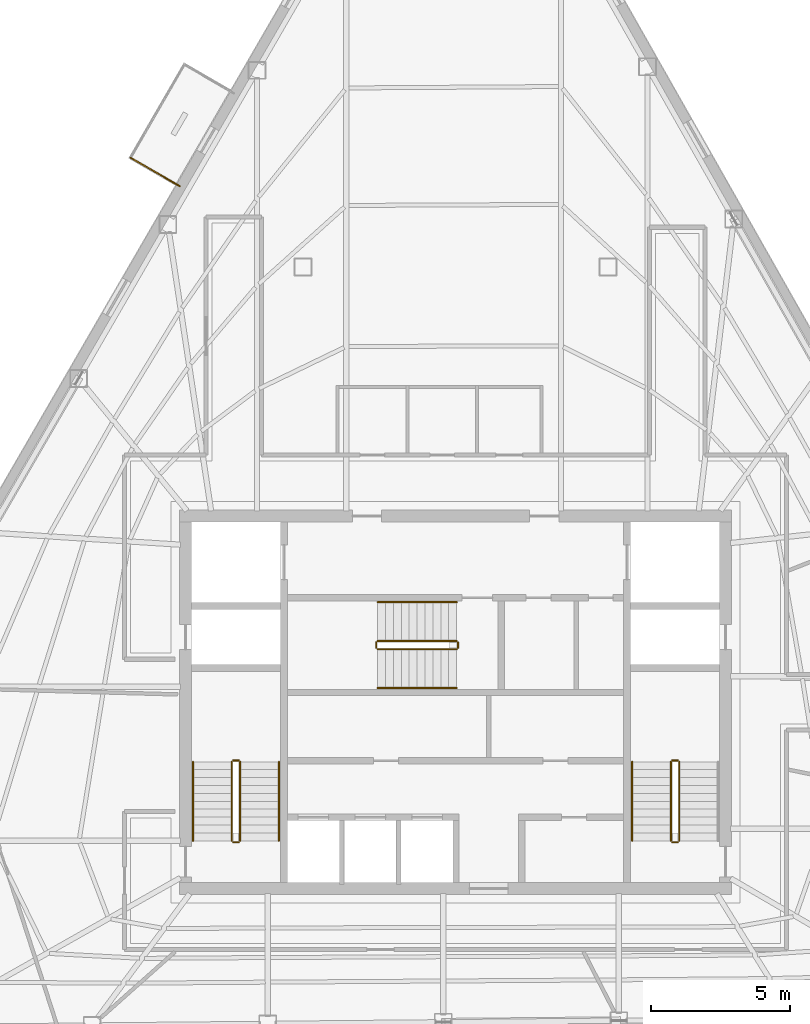
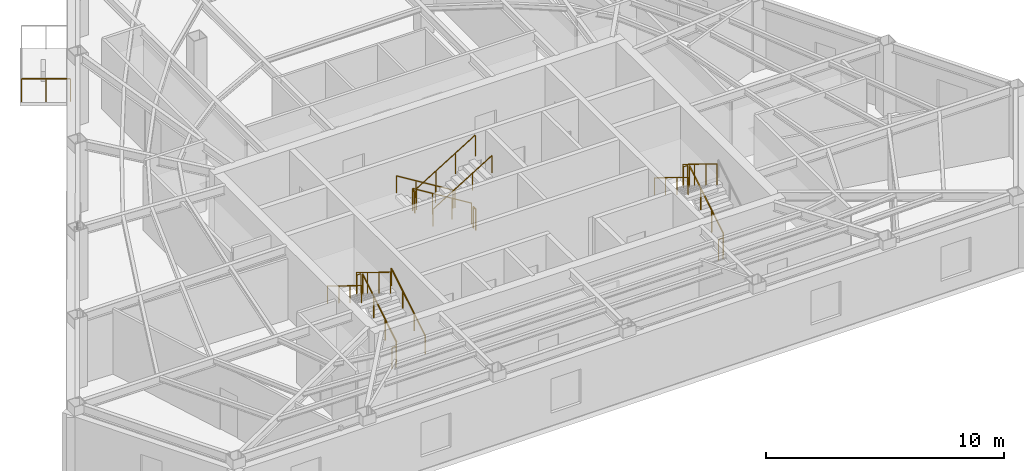
# One storey, part 9 of 10: 18 railings.
"""IFC4 building model written with IfcOpenShell, lengths in metres."""

import ifcopenshell
import ifcopenshell.guid

model = None  # the IFC model being written
_history = None  # IfcOwnerHistory: only IFC2X3 demands one
_inside = {}  # id of a spatial element -> (the spatial element, [elements in it])
_under = {}  # id of a project, library or spatial element -> (it, [spatial elements below it])
_declared = {}  # id of a project -> (the project, [libraries it declares])
_typed = {}  # id of a type object -> (the type object, [elements of that type])
_made_of = {}  # id of a material, layer set ... -> (it, [elements and type objects made of it])


def new_model(schema):
    """Start an empty IFC model of exactly this schema.

    Asked for "IFC4X3", IfcOpenShell would pick the latest addendum, in which some entities
    have other attributes; the version numbers below select the first issue.
    IFC2X3 requires an IfcOwnerHistory on every rooted entity: one is made here for all.
    """
    global model, _history
    if schema == "IFC4X3":
        model = ifcopenshell.file(schema_version=(4, 3, 0, 0))
    else:
        model = ifcopenshell.file(schema=schema)
    _inside.clear()
    _under.clear()
    _declared.clear()
    _typed.clear()
    _made_of.clear()
    _history = None
    if model.schema == "IFC2X3":
        org = make("IfcOrganization", Name="unknown")
        user = make(
            "IfcPersonAndOrganization",
            ThePerson=make("IfcPerson", FamilyName="unknown"),
            TheOrganization=org,
        )
        app = make(
            "IfcApplication",
            ApplicationDeveloper=org,
            Version="unknown",
            ApplicationFullName="unknown",
            ApplicationIdentifier="unknown",
        )
        _history = make(
            "IfcOwnerHistory",
            OwningUser=user,
            OwningApplication=app,
            ChangeAction="ADDED",
            CreationDate=0,
        )
    return model


def make(cls, **values):
    """One entity of the class cls with the attributes given. An attribute that is None is left unset."""
    return model.create_entity(
        cls, **{name: value for name, value in values.items() if value is not None}
    )


def rooted(cls, **values):
    """An entity with a GlobalId (a new one), such as an element, a storey or a relation."""
    return make(cls, GlobalId=ifcopenshell.guid.new(), OwnerHistory=_history, **values)


def si_unit(unit_type, name, prefix=None):
    """IfcSIUnit, for example si_unit("LENGTHUNIT", "METRE", prefix="MILLI")."""
    return make("IfcSIUnit", UnitType=unit_type, Prefix=prefix, Name=name)


def assignment(units):
    """IfcUnitAssignment: the units of a project."""
    return None if units is None else make("IfcUnitAssignment", Units=units)


def point(xyz):
    """IfcCartesianPoint."""
    return None if xyz is None else make("IfcCartesianPoint", Coordinates=xyz)


def direction(xyz):
    """IfcDirection."""
    return None if xyz is None else make("IfcDirection", DirectionRatios=xyz)


def frame(location, z_axis=None, x_axis=None):
    """IfcAxis2Placement3D, a coordinate frame: its origin and axes. An axis left out is left unset."""
    return make(
        "IfcAxis2Placement3D",
        Location=point(location),
        Axis=direction(z_axis),
        RefDirection=direction(x_axis),
    )


def frame_2d(location, x_axis=None):
    """IfcAxis2Placement2D, a coordinate frame in the plane: its origin and x axis."""
    return make(
        "IfcAxis2Placement2D", Location=point(location), RefDirection=direction(x_axis)
    )


def origin():
    """The frame at (0, 0, 0) with its axes left unset."""
    return frame((0.0, 0.0, 0.0))


def origin_2d():
    """The frame at (0, 0) in the plane with its x axis left unset."""
    return frame_2d((0.0, 0.0))


def place(relative_to, where):
    """IfcLocalPlacement: puts the frame where relative to a parent placement (None: the world)."""
    return make(
        "IfcLocalPlacement", PlacementRelTo=relative_to, RelativePlacement=where
    )


def context(
    kind, dimensions, precision=None, world=None, true_north=None, identifier=None
):
    """IfcGeometricRepresentationContext, for example the 3D "Model" context."""
    return make(
        "IfcGeometricRepresentationContext",
        ContextIdentifier=identifier,
        ContextType=kind,
        CoordinateSpaceDimension=dimensions,
        Precision=precision,
        WorldCoordinateSystem=world,
        TrueNorth=true_north,
    )


def subcontext(parent, identifier, kind, view, scale=None):
    """IfcGeometricRepresentationSubContext, for example "Body" below "Model"."""
    return make(
        "IfcGeometricRepresentationSubContext",
        ContextIdentifier=identifier,
        ContextType=kind,
        ParentContext=parent,
        TargetScale=scale,
        TargetView=view,
    )


def project(units=None, contexts=None):
    """IfcProject with its units and contexts."""
    return rooted(
        "IfcProject",
        Name="project",
        RepresentationContexts=contexts,
        UnitsInContext=assignment(units),
    )


def spatial(cls, under=None, at=None, **own):
    """A site, building, storey or space (cls), placed at a placement, below another one or the project."""
    s = rooted(cls, ObjectPlacement=at, **own)
    if under is not None:
        _under.setdefault(under.id(), (under, []))[1].append(s)
    return s


def profile(cls, at=None, kind="AREA", **sizes):
    """A parametric profile (cls). Its sizes go by their IFC names, for example OverallWidth=200.0."""
    return make(cls, ProfileType=kind, Position=at, **sizes)


def circle(**sizes):
    """IfcCircleProfileDef."""
    return profile("IfcCircleProfileDef", **sizes)


def extrude(swept, where, along, depth):
    """IfcExtrudedAreaSolid: the profile swept, set in the frame where, extruded along a direction by depth."""
    return make(
        "IfcExtrudedAreaSolid",
        SweptArea=swept,
        Position=where,
        ExtrudedDirection=direction(along),
        Depth=depth,
    )


def shape(context_of_items, identifier, shape_type, items):
    """IfcShapeRepresentation: the items that make up one representation, for example the "Body"."""
    return make(
        "IfcShapeRepresentation",
        ContextOfItems=context_of_items,
        RepresentationIdentifier=identifier,
        RepresentationType=shape_type,
        Items=items,
    )


def material(Name=None, Category=None):
    """IfcMaterial."""
    return make("IfcMaterial", Name=Name, Category=Category)


def made_of(thing, what):
    """Note that an element or type object is made of a material, layer set ...; save() writes the relation."""
    if what is not None:
        _made_of.setdefault(what.id(), (what, []))[1].append(thing)
    return thing


def type_object(cls, material=None, **own):
    """A type object (cls), such as IfcWallType, which elements share."""
    return made_of(rooted(cls, **own), material)


def element(
    cls,
    number,
    at=None,
    inside=None,
    cuts=None,
    type_object=None,
    material=None,
    context=None,
    identifier="Body",
    shape_type=None,
    held_by="IfcProductDefinitionShape",
    body=None,
    shapes=None,
    **own,
):
    """One element of the class cls, such as IfcWall. Its Tag is "e" and its number.

    at: its placement. inside: the storey or other place that contains it. cuts: it is an
    opening in that element (IfcRelVoidsElement). A single representation is given by context,
    identifier, shape_type and body (its items); several are given by shapes. held_by: the class
    of the entity that holds the representations. save() writes the other relations.
    """
    e = rooted(cls, Tag="e%d" % number, ObjectPlacement=at, **own)
    if body is not None:
        shapes = [shape(context, identifier, shape_type, body)]
    if shapes is not None:
        e.Representation = make(held_by, Representations=shapes)
    if inside is not None:
        _inside.setdefault(inside.id(), (inside, []))[1].append(e)
    if cuts is not None:
        rooted(
            "IfcRelVoidsElement", RelatingBuildingElement=cuts, RelatedOpeningElement=e
        )
    if type_object is not None:
        _typed.setdefault(type_object.id(), (type_object, []))[1].append(e)
    return made_of(e, material)


def aggregate(whole, parts):
    """IfcRelAggregates: a whole, such as a stair, and the parts it consists of."""
    return rooted("IfcRelAggregates", RelatingObject=whole, RelatedObjects=parts)


def save(model, path):
    """Write the relations noted so far, then the file.

    IfcRelAggregates (storeys below a building ...), IfcRelContainedInSpatialStructure (elements
    in a storey), IfcRelDefinesByType, IfcRelAssociatesMaterial and IfcRelDeclares: one each for
    every whole, place, type object, material and project.
    """
    for whole, parts in _under.values():
        aggregate(whole, parts)
    for where, things in _inside.values():
        rooted(
            "IfcRelContainedInSpatialStructure",
            RelatedElements=things,
            RelatingStructure=where,
        )
    for kind, things in _typed.values():
        rooted("IfcRelDefinesByType", RelatedObjects=things, RelatingType=kind)
    for what, things in _made_of.values():
        rooted("IfcRelAssociatesMaterial", RelatedObjects=things, RelatingMaterial=what)
    for by, libraries in _declared.values():
        rooted("IfcRelDeclares", RelatingContext=by, RelatedDefinitions=libraries)
    model.write(path)


model = new_model("IFC4")

# Units and contexts
model_context = context("Model", 3, precision=1e-05, world=origin(), true_north=direction((0.0, 1.0)))
body_context = subcontext(model_context, "Body", "Model", "MODEL_VIEW")
ifc_project = project(units=[si_unit("LENGTHUNIT", "METRE"), si_unit("AREAUNIT", "SQUARE_METRE"), si_unit("VOLUMEUNIT", "CUBIC_METRE"), si_unit("PLANEANGLEUNIT", "RADIAN"), si_unit("MASSUNIT", "GRAM", prefix="KILO")], contexts=[model_context])

# Site, building, storey
site_placement = place(None, origin())
site = spatial("IfcSite", under=ifc_project, at=site_placement, CompositionType="ELEMENT")
building_placement = place(site_placement, origin())
building = spatial("IfcBuilding", under=site, at=building_placement, Name="Kavelnor Concourse Tower", CompositionType="ELEMENT")
storey_placement = place(building_placement, frame((0.0, 0.0, 222.75)))
storey = spatial("IfcBuildingStorey", under=building, at=storey_placement, Name="L56", CompositionType="ELEMENT", Elevation=222.75)

# Railings
ifc_material_1 = material(Name="Steel Grade 350", Category="steel")
railing_type_1 = type_object("IfcRailingType", Name="RLG-GUARD-1100", PredefinedType="GUARDRAIL", material=ifc_material_1)
railing_1_placement = place(storey_placement, frame((30.22998046875, 11.10009765625, 0.175048828125)))
element("IfcRailing", 1, at=railing_1_placement, inside=storey, type_object=railing_type_1, Name="L56 ST1 stair guard 1", PredefinedType="GUARDRAIL", context=body_context, shape_type="SweptSolid", body=[
    extrude(circle(Radius=0.02392578125, at=origin_2d()), frame((0.0, 0.0, 1.076171875), z_axis=(0.0, 0.852159232446, 0.523282564737), x_axis=(-1.0, 0.0, 0.0)), (0.0, 0.0, 1.0), 3.34423828125),
    extrude(circle(Radius=0.02099609375, at=origin_2d()), origin(), (0.0, 0.0, 1.0), 1.052001953125),
    extrude(circle(Radius=0.02099609375, at=origin_2d()), frame((0.0, 0.949951171875, 0.583251953125)), (0.0, 0.0, 1.0), 1.052001953125),
    extrude(circle(Radius=0.02099609375, at=origin_2d()), frame((0.0, 1.89990234375, 1.166748046875)), (0.0, 0.0, 1.0), 1.052001953125),
    extrude(circle(Radius=0.02099609375, at=origin_2d()), frame((0.0, 2.849853515625, 1.75)), (0.0, 0.0, 1.0), 1.052001953125),
])
railing_2_placement = place(storey_placement, frame((30.179931640625, 14.0, 1.925048828125)))
element("IfcRailing", 2, at=railing_2_placement, inside=storey, type_object=railing_type_1, Name="L56 ST1 stair guard 2", PredefinedType="GUARDRAIL", context=body_context, shape_type="SweptSolid", body=[
    extrude(circle(Radius=0.02392578125, at=origin_2d()), frame((0.0, 0.0, 1.076171875), z_axis=(-1.0, 0.0, 0.0), x_axis=(0.0, -1.0, 0.0)), (0.0, 0.0, 1.0), 0.199951171875),
    extrude(circle(Radius=0.02099609375, at=origin_2d()), origin(), (0.0, 0.0, 1.0), 1.052001953125),
    extrude(circle(Radius=0.02099609375, at=origin_2d()), frame((-0.199951171875, 0.0, 0.0)), (0.0, 0.0, 1.0), 1.052001953125),
])
railing_3_placement = place(storey_placement, frame((29.929931640625, 13.949951171875, 2.10009765625)))
element("IfcRailing", 3, at=railing_3_placement, inside=storey, type_object=railing_type_1, Name="L56 ST1 stair guard 3", PredefinedType="GUARDRAIL", context=body_context, shape_type="SweptSolid", body=[
    extrude(circle(Radius=0.02392578125, at=origin_2d()), frame((0.0, 0.0, 1.076171875), z_axis=(0.0, -0.852159232446, 0.523282564737), x_axis=(1.0, 0.0, 0.0)), (0.0, 0.0, 1.0), 3.34423828125),
    extrude(circle(Radius=0.02099609375, at=origin_2d()), origin(), (0.0, 0.0, 1.0), 1.052001953125),
    extrude(circle(Radius=0.02099609375, at=origin_2d()), frame((0.0, -0.949951171875, 0.583251953125)), (0.0, 0.0, 1.0), 1.052001953125),
    extrude(circle(Radius=0.02099609375, at=origin_2d()), frame((0.0, -1.89990234375, 1.166748046875)), (0.0, 0.0, 1.0), 1.052001953125),
    extrude(circle(Radius=0.02099609375, at=origin_2d()), frame((0.0, -2.849853515625, 1.75)), (0.0, 0.0, 1.0), 1.052001953125),
])
railing_4_placement = place(storey_placement, frame((30.179931640625, 11.050048828125, 0.0)))
element("IfcRailing", 4, at=railing_4_placement, inside=storey, type_object=railing_type_1, Name="L56 ST1 stair guard 4", PredefinedType="GUARDRAIL", context=body_context, shape_type="SweptSolid", body=[
    extrude(circle(Radius=0.02392578125, at=origin_2d()), frame((0.0, 0.0, 1.076171875), z_axis=(-1.0, 0.0, 0.0), x_axis=(0.0, -1.0, 0.0)), (0.0, 0.0, 1.0), 0.199951171875),
    extrude(circle(Radius=0.02099609375, at=origin_2d()), origin(), (0.0, 0.0, 1.0), 1.052001953125),
    extrude(circle(Radius=0.02099609375, at=origin_2d()), frame((-0.199951171875, 0.0, 0.0)), (0.0, 0.0, 1.0), 1.052001953125),
])
railing_5_placement = place(storey_placement, frame((46.070068359375, 11.10009765625, 0.175048828125)))
element("IfcRailing", 5, at=railing_5_placement, inside=storey, type_object=railing_type_1, Name="L56 ST2 stair guard 1", PredefinedType="GUARDRAIL", context=body_context, shape_type="SweptSolid", body=[
    extrude(circle(Radius=0.02392578125, at=origin_2d()), frame((0.0, 0.0, 1.076171875), z_axis=(0.0, 0.852159232446, 0.523282564737), x_axis=(-1.0, 0.0, 0.0)), (0.0, 0.0, 1.0), 3.34423828125),
    extrude(circle(Radius=0.02099609375, at=origin_2d()), origin(), (0.0, 0.0, 1.0), 1.052001953125),
    extrude(circle(Radius=0.02099609375, at=origin_2d()), frame((0.0, 0.949951171875, 0.583251953125)), (0.0, 0.0, 1.0), 1.052001953125),
    extrude(circle(Radius=0.02099609375, at=origin_2d()), frame((0.0, 1.89990234375, 1.166748046875)), (0.0, 0.0, 1.0), 1.052001953125),
    extrude(circle(Radius=0.02099609375, at=origin_2d()), frame((0.0, 2.849853515625, 1.75)), (0.0, 0.0, 1.0), 1.052001953125),
])
railing_6_placement = place(storey_placement, frame((46.02001953125, 14.0, 1.925048828125)))
element("IfcRailing", 6, at=railing_6_placement, inside=storey, type_object=railing_type_1, Name="L56 ST2 stair guard 2", PredefinedType="GUARDRAIL", context=body_context, shape_type="SweptSolid", body=[
    extrude(circle(Radius=0.02392578125, at=origin_2d()), frame((0.0, 0.0, 1.076171875), z_axis=(-1.0, 0.0, 0.0), x_axis=(0.0, -1.0, 0.0)), (0.0, 0.0, 1.0), 0.199951171875),
    extrude(circle(Radius=0.02099609375, at=origin_2d()), origin(), (0.0, 0.0, 1.0), 1.052001953125),
    extrude(circle(Radius=0.02099609375, at=origin_2d()), frame((-0.199951171875, 0.0, 0.0)), (0.0, 0.0, 1.0), 1.052001953125),
])
railing_7_placement = place(storey_placement, frame((45.77001953125, 13.949951171875, 2.10009765625)))
element("IfcRailing", 7, at=railing_7_placement, inside=storey, type_object=railing_type_1, Name="L56 ST2 stair guard 3", PredefinedType="GUARDRAIL", context=body_context, shape_type="SweptSolid", body=[
    extrude(circle(Radius=0.02392578125, at=origin_2d()), frame((0.0, 0.0, 1.076171875), z_axis=(0.0, -0.852159232446, 0.523282564737), x_axis=(1.0, 0.0, 0.0)), (0.0, 0.0, 1.0), 3.34423828125),
    extrude(circle(Radius=0.02099609375, at=origin_2d()), origin(), (0.0, 0.0, 1.0), 1.052001953125),
    extrude(circle(Radius=0.02099609375, at=origin_2d()), frame((0.0, -0.949951171875, 0.583251953125)), (0.0, 0.0, 1.0), 1.052001953125),
    extrude(circle(Radius=0.02099609375, at=origin_2d()), frame((0.0, -1.89990234375, 1.166748046875)), (0.0, 0.0, 1.0), 1.052001953125),
    extrude(circle(Radius=0.02099609375, at=origin_2d()), frame((0.0, -2.849853515625, 1.75)), (0.0, 0.0, 1.0), 1.052001953125),
])
railing_8_placement = place(storey_placement, frame((46.02001953125, 11.050048828125, 0.0)))
element("IfcRailing", 8, at=railing_8_placement, inside=storey, type_object=railing_type_1, Name="L56 ST2 stair guard 4", PredefinedType="GUARDRAIL", context=body_context, shape_type="SweptSolid", body=[
    extrude(circle(Radius=0.02392578125, at=origin_2d()), frame((0.0, 0.0, 1.076171875), z_axis=(-1.0, 0.0, 0.0), x_axis=(0.0, -1.0, 0.0)), (0.0, 0.0, 1.0), 0.199951171875),
    extrude(circle(Radius=0.02099609375, at=origin_2d()), origin(), (0.0, 0.0, 1.0), 1.052001953125),
    extrude(circle(Radius=0.02099609375, at=origin_2d()), frame((-0.199951171875, 0.0, 0.0)), (0.0, 0.0, 1.0), 1.052001953125),
])
railing_9_placement = place(storey_placement, frame((38.0400390625, 18.31005859375, 0.175048828125)))
element("IfcRailing", 9, at=railing_9_placement, inside=storey, type_object=railing_type_1, Name="L56 ST3 stair guard 1", PredefinedType="GUARDRAIL", context=body_context, shape_type="SweptSolid", body=[
    extrude(circle(Radius=0.02392578125, at=origin_2d()), frame((0.0, 0.0, 1.076171875), z_axis=(-0.852179220489, 0.0, 0.52325001306), x_axis=(0.0, -1.0, 0.0)), (0.0, 0.0, 1.0), 3.344482421875),
    extrude(circle(Radius=0.02099609375, at=origin_2d()), origin(), (0.0, 0.0, 1.0), 1.052001953125),
    extrude(circle(Radius=0.02099609375, at=origin_2d()), frame((-0.949951171875, 0.0, 0.583251953125)), (0.0, 0.0, 1.0), 1.052001953125),
    extrude(circle(Radius=0.02099609375, at=origin_2d()), frame((-1.900146484375, 0.0, 1.166748046875)), (0.0, 0.0, 1.0), 1.052001953125),
    extrude(circle(Radius=0.02099609375, at=origin_2d()), frame((-2.85009765625, 0.0, 1.75)), (0.0, 0.0, 1.0), 1.052001953125),
])
railing_10_placement = place(storey_placement, frame((35.139892578125, 18.260009765625, 1.925048828125)))
element("IfcRailing", 10, at=railing_10_placement, inside=storey, type_object=railing_type_1, Name="L56 ST3 stair guard 2", PredefinedType="GUARDRAIL", context=body_context, shape_type="SweptSolid", body=[
    extrude(circle(Radius=0.02392578125, at=origin_2d()), frame((0.0, 0.0, 1.076171875), z_axis=(0.0, -1.0, 0.0), x_axis=(1.0, 0.0, 0.0)), (0.0, 0.0, 1.0), 0.199951171875),
    extrude(circle(Radius=0.02099609375, at=origin_2d()), origin(), (0.0, 0.0, 1.0), 1.052001953125),
    extrude(circle(Radius=0.02099609375, at=origin_2d()), frame((0.0, -0.199951171875, 0.0)), (0.0, 0.0, 1.0), 1.052001953125),
])
railing_11_placement = place(storey_placement, frame((35.18994140625, 18.010009765625, 2.10009765625)))
element("IfcRailing", 11, at=railing_11_placement, inside=storey, type_object=railing_type_1, Name="L56 ST3 stair guard 3", PredefinedType="GUARDRAIL", context=body_context, shape_type="SweptSolid", body=[
    extrude(circle(Radius=0.02392578125, at=origin_2d()), frame((0.0, 0.0, 1.076171875), z_axis=(0.852179220489, 0.0, 0.52325001306), x_axis=(0.0, 1.0, 0.0)), (0.0, 0.0, 1.0), 3.344482421875),
    extrude(circle(Radius=0.02099609375, at=origin_2d()), origin(), (0.0, 0.0, 1.0), 1.052001953125),
    extrude(circle(Radius=0.02099609375, at=origin_2d()), frame((0.949951171875, 0.0, 0.583251953125)), (0.0, 0.0, 1.0), 1.052001953125),
    extrude(circle(Radius=0.02099609375, at=origin_2d()), frame((1.900146484375, 0.0, 1.166748046875)), (0.0, 0.0, 1.0), 1.052001953125),
    extrude(circle(Radius=0.02099609375, at=origin_2d()), frame((2.85009765625, 0.0, 1.75)), (0.0, 0.0, 1.0), 1.052001953125),
])
railing_12_placement = place(storey_placement, frame((38.090087890625, 18.260009765625, 0.0)))
element("IfcRailing", 12, at=railing_12_placement, inside=storey, type_object=railing_type_1, Name="L56 ST3 stair guard 4", PredefinedType="GUARDRAIL", context=body_context, shape_type="SweptSolid", body=[
    extrude(circle(Radius=0.02392578125, at=origin_2d()), frame((0.0, 0.0, 1.076171875), z_axis=(0.0, -1.0, 0.0), x_axis=(1.0, 0.0, 0.0)), (0.0, 0.0, 1.0), 0.199951171875),
    extrude(circle(Radius=0.02099609375, at=origin_2d()), origin(), (0.0, 0.0, 1.0), 1.052001953125),
    extrude(circle(Radius=0.02099609375, at=origin_2d()), frame((0.0, -0.199951171875, 0.0)), (0.0, 0.0, 1.0), 1.052001953125),
])
railing_type_2 = type_object("IfcRailingType", Name="RLG-HANDRAIL-900", PredefinedType="HANDRAIL", material=ifc_material_1)
railing_13_placement = place(storey_placement, frame((31.6298828125, 11.10009765625, 0.175048828125)))
element("IfcRailing", 13, at=railing_13_placement, inside=storey, type_object=railing_type_2, Name="L56 ST1 stair handrail 1", PredefinedType="HANDRAIL", context=body_context, shape_type="SweptSolid", body=[
    extrude(circle(Radius=0.02392578125, at=origin_2d()), frame((0.0, 0.0, 0.8759765625), z_axis=(0.0, 0.852159232446, 0.523282564737), x_axis=(-1.0, 0.0, 0.0)), (0.0, 0.0, 1.0), 3.34423828125),
    extrude(circle(Radius=0.02099609375, at=origin_2d()), origin(), (0.0, 0.0, 1.0), 0.851806640625),
    extrude(circle(Radius=0.02099609375, at=origin_2d()), frame((0.0, 0.949951171875, 0.583251953125)), (0.0, 0.0, 1.0), 0.851806640625),
    extrude(circle(Radius=0.02099609375, at=origin_2d()), frame((0.0, 1.89990234375, 1.166748046875)), (0.0, 0.0, 1.0), 0.851806640625),
    extrude(circle(Radius=0.02099609375, at=origin_2d()), frame((0.0, 2.849853515625, 1.75)), (0.0, 0.0, 1.0), 0.851806640625),
])
for number, where, name in (
    (14, (28.530029296875, 13.949951171875, 2.10009765625), "L56 ST1 stair handrail 2"),
    (15, (44.3701171875, 13.949951171875, 2.10009765625), "L56 ST2 stair handrail 2"),
):
    element("IfcRailing", number, at=place(storey_placement, frame(where)), inside=storey, type_object=railing_type_2, Name=name, PredefinedType="HANDRAIL", context=body_context, shape_type="SweptSolid", body=[
        extrude(circle(Radius=0.02392578125, at=origin_2d()), frame((0.0, 0.0, 0.8759765625), z_axis=(0.0, -0.852159232446, 0.523282564737), x_axis=(1.0, 0.0, 0.0)), (0.0, 0.0, 1.0), 3.34423828125),
        extrude(circle(Radius=0.02099609375, at=origin_2d()), origin(), (0.0, 0.0, 1.0), 0.851806640625),
        extrude(circle(Radius=0.02099609375, at=origin_2d()), frame((0.0, -0.949951171875, 0.583251953125)), (0.0, 0.0, 1.0), 0.851806640625),
        extrude(circle(Radius=0.02099609375, at=origin_2d()), frame((0.0, -1.89990234375, 1.166748046875)), (0.0, 0.0, 1.0), 0.851806640625),
        extrude(circle(Radius=0.02099609375, at=origin_2d()), frame((0.0, -2.849853515625, 1.75)), (0.0, 0.0, 1.0), 0.851806640625),
    ])
railing_14_placement = place(storey_placement, frame((38.0400390625, 19.7099609375, 0.175048828125)))
element("IfcRailing", 16, at=railing_14_placement, inside=storey, type_object=railing_type_2, Name="L56 ST3 stair handrail 1", PredefinedType="HANDRAIL", context=body_context, shape_type="SweptSolid", body=[
    extrude(circle(Radius=0.02392578125, at=origin_2d()), frame((0.0, 0.0, 0.8759765625), z_axis=(-0.852179220489, 0.0, 0.52325001306), x_axis=(0.0, -1.0, 0.0)), (0.0, 0.0, 1.0), 3.344482421875),
    extrude(circle(Radius=0.02099609375, at=origin_2d()), origin(), (0.0, 0.0, 1.0), 0.851806640625),
    extrude(circle(Radius=0.02099609375, at=origin_2d()), frame((-0.949951171875, 0.0, 0.583251953125)), (0.0, 0.0, 1.0), 0.851806640625),
    extrude(circle(Radius=0.02099609375, at=origin_2d()), frame((-1.900146484375, 0.0, 1.166748046875)), (0.0, 0.0, 1.0), 0.851806640625),
    extrude(circle(Radius=0.02099609375, at=origin_2d()), frame((-2.85009765625, 0.0, 1.75)), (0.0, 0.0, 1.0), 0.851806640625),
])
railing_15_placement = place(storey_placement, frame((35.18994140625, 16.610107421875, 2.10009765625)))
element("IfcRailing", 17, at=railing_15_placement, inside=storey, type_object=railing_type_2, Name="L56 ST3 stair handrail 2", PredefinedType="HANDRAIL", context=body_context, shape_type="SweptSolid", body=[
    extrude(circle(Radius=0.02392578125, at=origin_2d()), frame((0.0, 0.0, 0.8759765625), z_axis=(0.852179220489, 0.0, 0.52325001306), x_axis=(0.0, 1.0, 0.0)), (0.0, 0.0, 1.0), 3.344482421875),
    extrude(circle(Radius=0.02099609375, at=origin_2d()), origin(), (0.0, 0.0, 1.0), 0.851806640625),
    extrude(circle(Radius=0.02099609375, at=origin_2d()), frame((0.949951171875, 0.0, 0.583251953125)), (0.0, 0.0, 1.0), 0.851806640625),
    extrude(circle(Radius=0.02099609375, at=origin_2d()), frame((1.900146484375, 0.0, 1.166748046875)), (0.0, 0.0, 1.0), 0.851806640625),
    extrude(circle(Radius=0.02099609375, at=origin_2d()), frame((2.85009765625, 0.0, 1.75)), (0.0, 0.0, 1.0), 0.851806640625),
])
ifc_material_2 = material(Name="Architectural bronze-anodised aluminium", Category="aluminium")
railing_type_3 = type_object("IfcRailingType", Name="RLG-TERRACE-1200", PredefinedType="BALUSTRADE", material=ifc_material_2)
railing_16_placement = place(storey_placement, frame((26.27685546875, 35.74365234375, 0.0)))
element("IfcRailing", 18, at=railing_16_placement, inside=storey, type_object=railing_type_3, Name="L56 Tree Balcony 2 Guardrail R", PredefinedType="BALUSTRADE", context=body_context, shape_type="SweptSolid", body=[
    extrude(circle(Radius=0.02392578125, at=origin_2d()), frame((0.0, 0.0, 1.17578125), z_axis=(0.865355609619, -0.501158327178, 0.0), x_axis=(0.501158327178, 0.865355609619, 0.0)), (0.0, 0.0, 1.0), 2.050048828125),
    extrude(circle(Radius=0.02099609375, at=origin_2d()), origin(), (0.0, 0.0, 1.0), 1.15185546875),
    extrude(circle(Radius=0.02099609375, at=origin_2d()), frame((0.886962890625, -0.513671875, 0.0)), (0.0, 0.0, 1.0), 1.15185546875),
    extrude(circle(Radius=0.02099609375, at=origin_2d()), frame((1.77392578125, -1.02734375, 0.0)), (0.0, 0.0, 1.0), 1.15185546875),
])

save(model, "model.ifc")
